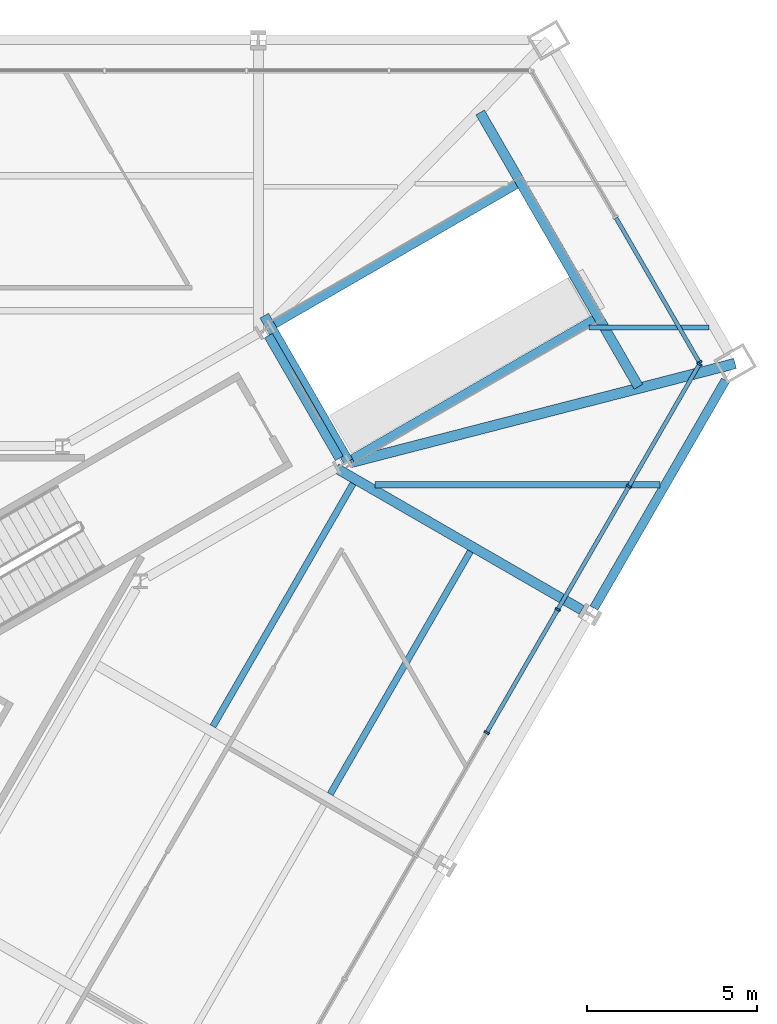
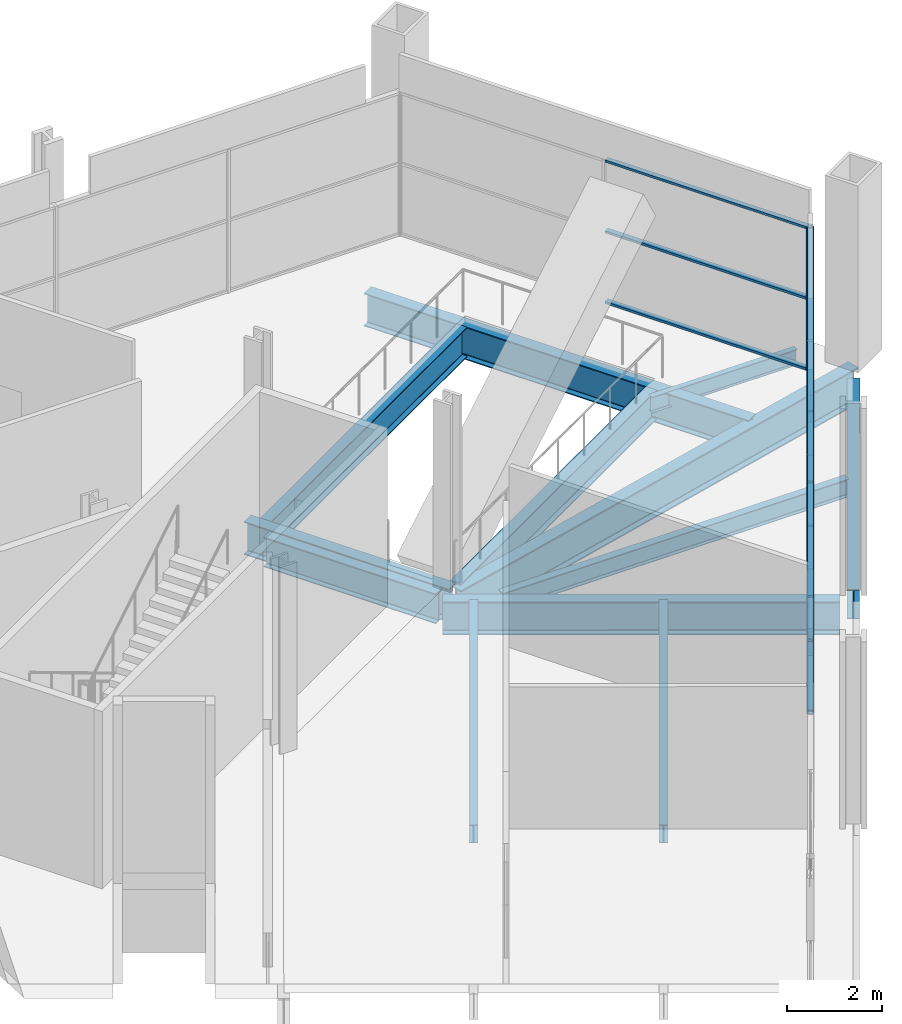
# One storey, part 9 of 18: 17 members, 12 beams, 2 elements without a shape of their own.
"""IFC4 building model written with IfcOpenShell, lengths in metres."""

from ifc_helpers import new_model, si_unit, direction, frame, origin, origin_2d, place, context, subcontext, project, spatial, rectangle, i_section, extrude, material, layer, layer_set, material_profile, profile_set, type_object, element, aggregate, save


model = new_model("IFC4")

# Units and contexts
model_context = context("Model", 3, precision=1e-05, world=origin(), true_north=direction((0.0, 1.0)))
body_context = subcontext(model_context, "Body", "Model", "MODEL_VIEW")
ifc_project = project(units=[si_unit("LENGTHUNIT", "METRE"), si_unit("AREAUNIT", "SQUARE_METRE"), si_unit("VOLUMEUNIT", "CUBIC_METRE"), si_unit("PLANEANGLEUNIT", "RADIAN"), si_unit("MASSUNIT", "GRAM", prefix="KILO")], contexts=[model_context])

# Site, building, storey
site_placement = place(None, origin())
site = spatial("IfcSite", under=ifc_project, at=site_placement, CompositionType="ELEMENT")
building_placement = place(site_placement, origin())
building = spatial("IfcBuilding", under=site, at=building_placement, Name="Verrane Prism Tower", CompositionType="ELEMENT")
storey_placement = place(building_placement, frame((0.0, 0.0, 22.39990234375)))
storey = spatial("IfcBuildingStorey", under=building, at=storey_placement, Name="L03", CompositionType="ELEMENT", Elevation=22.39990234375)

# Curtain wall, member
ifc_material_1 = material(Name="Aluminium and glass curtain wall", Category="aluminium")
ifc_layer = layer(ifc_material_1, 0.199951171875)
ifc_layer_set = layer_set([ifc_layer], Name="CWB-1 retail curtain wall")
curtain_wall_type = type_object("IfcCurtainWallType", Name="CWB-1 retail curtain wall", PredefinedType="NOTDEFINED", material=ifc_layer_set)
curtain_wall_1_placement = place(storey_placement, origin())
curtain_wall_1 = element("IfcCurtainWall", 1, at=curtain_wall_1_placement, inside=storey, type_object=curtain_wall_type, Name="Retail curtain wall L03 1", PredefinedType="NOTDEFINED")
ifc_material_2 = material(Name="Aluminium", Category="aluminium")
ifc_material_profile_1 = material_profile(ifc_material_2, rectangle(XDim=0.159912109375, YDim=0.06005859375, at=origin_2d()), Name="CWB-M 60x160 mullion")
ifc_profile_set_1 = profile_set([ifc_material_profile_1], Name="Aluminium")
member_type_1 = type_object("IfcMemberType", Name="CWB-M 60x160 mullion", PredefinedType="MULLION", material=ifc_profile_set_1)
member_1_placement = place(storey_placement, frame((30.11328125, 11.669677734375, 0.0), z_axis=(0.0, 0.0, 1.0), x_axis=(-0.866025871, -0.499999190758, 0.0)))
member_1 = element("IfcMember", 2, at=member_1_placement, type_object=member_type_1, Name="CWB31 mullion 1", PredefinedType="MULLION", context=body_context, shape_type="SweptSolid", body=[
    extrude(rectangle(XDim=0.159912109375, YDim=0.06005859375, at=origin_2d()), origin(), (0.0, 0.0, 1.0), 3.690185546875),
])

# Curtain wall, members
curtain_wall_2_placement = place(storey_placement, origin())
curtain_wall_2 = element("IfcCurtainWall", 3, at=curtain_wall_2_placement, inside=storey, type_object=curtain_wall_type, Name="Retail curtain wall L03 6", PredefinedType="NOTDEFINED")
member_2_placement = place(storey_placement, frame((23.84130859375, 0.75439453125, 0.0), z_axis=(0.0, 0.0, 1.0), x_axis=(-0.866025335097, 0.50000011897, 0.0)))
member_2 = element("IfcMember", 4, at=member_2_placement, type_object=member_type_1, Name="CWB36 mullion 10", PredefinedType="MULLION", context=body_context, shape_type="SweptSolid", body=[
    extrude(rectangle(XDim=0.159912109375, YDim=0.06005859375, at=origin_2d()), origin(), (0.0, 0.0, 1.0), 3.690185546875),
])
member_3_placement = place(storey_placement, frame((25.93701171875, 4.384033203125, 0.0), z_axis=(0.0, 0.0, 1.0), x_axis=(-0.866025335097, 0.50000011897, 0.0)))
member_3 = element("IfcMember", 5, at=member_3_placement, type_object=member_type_1, Name="CWB36 mullion 11", PredefinedType="MULLION", context=body_context, shape_type="SweptSolid", body=[
    extrude(rectangle(XDim=0.159912109375, YDim=0.06005859375, at=origin_2d()), origin(), (0.0, 0.0, 1.0), 3.690185546875),
])
member_4_placement = place(storey_placement, frame((28.03271484375, 8.013916015625, 0.0), z_axis=(0.0, 0.0, 1.0), x_axis=(-0.866025335097, 0.50000011897, 0.0)))
member_4 = element("IfcMember", 6, at=member_4_placement, type_object=member_type_1, Name="CWB36 mullion 12", PredefinedType="MULLION", context=body_context, shape_type="SweptSolid", body=[
    extrude(rectangle(XDim=0.159912109375, YDim=0.06005859375, at=origin_2d()), origin(), (0.0, 0.0, 1.0), 3.690185546875),
])
member_5_placement = place(storey_placement, frame((30.11328125, 11.61767578125, 0.0), z_axis=(0.0, 0.0, 1.0), x_axis=(-0.866025335097, 0.50000011897, 0.0)))
member_5 = element("IfcMember", 7, at=member_5_placement, type_object=member_type_1, Name="CWB36 mullion 13", PredefinedType="MULLION", context=body_context, shape_type="SweptSolid", body=[
    extrude(rectangle(XDim=0.159912109375, YDim=0.06005859375, at=origin_2d()), origin(), (0.0, 0.0, 1.0), 3.690185546875),
])

# Member
ifc_material_3 = material(Name="Aluminium", Category="aluminium")
ifc_material_profile_2 = material_profile(ifc_material_3, rectangle(XDim=0.1201171875, YDim=0.06005859375, at=origin_2d()), Name="CWB-T 60x120 transom")
ifc_profile_set_2 = profile_set([ifc_material_profile_2], Name="Aluminium")
member_type_2 = type_object("IfcMemberType", Name="CWB-T 60x120 transom", PredefinedType="USERDEFINED", material=ifc_profile_set_2)
member_6_placement = place(storey_placement, frame((30.098388671875, 11.695556640625, 0.030029296875), z_axis=(-0.500004774777, 0.866022647048, 0.0), x_axis=(-0.866022647048, -0.500004774777, 0.0)))
member_6 = element("IfcMember", 8, at=member_6_placement, type_object=member_type_2, Name="CWB31 transom 1.1", ObjectType="TRANSOM", PredefinedType="USERDEFINED", context=body_context, shape_type="SweptSolid", body=[
    extrude(rectangle(XDim=0.1201171875, YDim=0.06005859375, at=origin_2d()), origin(), (0.0, 0.0, 1.0), 4.890625),
])

member_7_placement = place(storey_placement, frame((30.098388671875, 11.695556640625, 1.84521484375), z_axis=(-0.500004774777, 0.866022647048, 0.0), x_axis=(-0.866022647048, -0.500004774777, 0.0)))
member_7 = element("IfcMember", 9, at=member_7_placement, type_object=member_type_2, Name="CWB31 transom 1.2", ObjectType="TRANSOM", PredefinedType="USERDEFINED", context=body_context, shape_type="SweptSolid", body=[
    extrude(rectangle(XDim=0.1201171875, YDim=0.06005859375, at=origin_2d()), origin(), (0.0, 0.0, 1.0), 4.890625),
])

member_8_placement = place(storey_placement, frame((30.098388671875, 11.695556640625, 3.66015625), z_axis=(-0.500004774777, 0.866022647048, 0.0), x_axis=(-0.866022647048, -0.500004774777, 0.0)))
member_8 = element("IfcMember", 10, at=member_8_placement, type_object=member_type_2, Name="CWB31 transom 1.3", ObjectType="TRANSOM", PredefinedType="USERDEFINED", context=body_context, shape_type="SweptSolid", body=[
    extrude(rectangle(XDim=0.1201171875, YDim=0.06005859375, at=origin_2d()), origin(), (0.0, 0.0, 1.0), 4.890625),
])

aggregate(curtain_wall_1, [member_1, member_6, member_7, member_8])

member_9_placement = place(storey_placement, frame((23.856201171875, 0.7802734375, 0.030029296875), z_axis=(0.499996977546, 0.866027148792, 0.0), x_axis=(-0.866027148792, 0.499996977546, 0.0)))
member_9 = element("IfcMember", 11, at=member_9_placement, type_object=member_type_2, Name="CWB36 transom 10.1", ObjectType="TRANSOM", PredefinedType="USERDEFINED", context=body_context, shape_type="SweptSolid", body=[
    extrude(rectangle(XDim=0.1201171875, YDim=0.06005859375, at=origin_2d()), origin(), (0.0, 0.0, 1.0), 4.13134765625),
])

member_10_placement = place(storey_placement, frame((23.856201171875, 0.7802734375, 1.84521484375), z_axis=(0.499996977546, 0.866027148792, 0.0), x_axis=(-0.866027148792, 0.499996977546, 0.0)))
member_10 = element("IfcMember", 12, at=member_10_placement, type_object=member_type_2, Name="CWB36 transom 10.2", ObjectType="TRANSOM", PredefinedType="USERDEFINED", context=body_context, shape_type="SweptSolid", body=[
    extrude(rectangle(XDim=0.1201171875, YDim=0.06005859375, at=origin_2d()), origin(), (0.0, 0.0, 1.0), 4.13134765625),
])

member_11_placement = place(storey_placement, frame((23.856201171875, 0.7802734375, 3.66015625), z_axis=(0.499996977546, 0.866027148792, 0.0), x_axis=(-0.866027148792, 0.499996977546, 0.0)))
member_11 = element("IfcMember", 13, at=member_11_placement, type_object=member_type_2, Name="CWB36 transom 10.3", ObjectType="TRANSOM", PredefinedType="USERDEFINED", context=body_context, shape_type="SweptSolid", body=[
    extrude(rectangle(XDim=0.1201171875, YDim=0.06005859375, at=origin_2d()), origin(), (0.0, 0.0, 1.0), 4.13134765625),
])

member_12_placement = place(storey_placement, frame((25.951904296875, 4.41015625, 0.030029296875), z_axis=(0.499996977546, 0.866027148792, 0.0), x_axis=(-0.866027148792, 0.499996977546, 0.0)))
member_12 = element("IfcMember", 14, at=member_12_placement, type_object=member_type_2, Name="CWB36 transom 11.1", ObjectType="TRANSOM", PredefinedType="USERDEFINED", context=body_context, shape_type="SweptSolid", body=[
    extrude(rectangle(XDim=0.1201171875, YDim=0.06005859375, at=origin_2d()), origin(), (0.0, 0.0, 1.0), 4.13134765625),
])

member_13_placement = place(storey_placement, frame((25.951904296875, 4.41015625, 1.84521484375), z_axis=(0.499996977546, 0.866027148792, 0.0), x_axis=(-0.866027148792, 0.499996977546, 0.0)))
member_13 = element("IfcMember", 15, at=member_13_placement, type_object=member_type_2, Name="CWB36 transom 11.2", ObjectType="TRANSOM", PredefinedType="USERDEFINED", context=body_context, shape_type="SweptSolid", body=[
    extrude(rectangle(XDim=0.1201171875, YDim=0.06005859375, at=origin_2d()), origin(), (0.0, 0.0, 1.0), 4.13134765625),
])

member_14_placement = place(storey_placement, frame((25.951904296875, 4.41015625, 3.66015625), z_axis=(0.499996977546, 0.866027148792, 0.0), x_axis=(-0.866027148792, 0.499996977546, 0.0)))
member_14 = element("IfcMember", 16, at=member_14_placement, type_object=member_type_2, Name="CWB36 transom 11.3", ObjectType="TRANSOM", PredefinedType="USERDEFINED", context=body_context, shape_type="SweptSolid", body=[
    extrude(rectangle(XDim=0.1201171875, YDim=0.06005859375, at=origin_2d()), origin(), (0.0, 0.0, 1.0), 4.13134765625),
])

member_15_placement = place(storey_placement, frame((28.047607421875, 8.039794921875, 0.030029296875), z_axis=(0.500005845305, 0.86602202897, 0.0), x_axis=(-0.86602202897, 0.500005845305, 0.0)))
member_15 = element("IfcMember", 17, at=member_15_placement, type_object=member_type_2, Name="CWB36 transom 12.1", ObjectType="TRANSOM", PredefinedType="USERDEFINED", context=body_context, shape_type="SweptSolid", body=[
    extrude(rectangle(XDim=0.1201171875, YDim=0.06005859375, at=origin_2d()), origin(), (0.0, 0.0, 1.0), 4.1015625),
])

member_16_placement = place(storey_placement, frame((28.047607421875, 8.039794921875, 1.84521484375), z_axis=(0.500005845305, 0.86602202897, 0.0), x_axis=(-0.86602202897, 0.500005845305, 0.0)))
member_16 = element("IfcMember", 18, at=member_16_placement, type_object=member_type_2, Name="CWB36 transom 12.2", ObjectType="TRANSOM", PredefinedType="USERDEFINED", context=body_context, shape_type="SweptSolid", body=[
    extrude(rectangle(XDim=0.1201171875, YDim=0.06005859375, at=origin_2d()), origin(), (0.0, 0.0, 1.0), 4.1015625),
])

member_17_placement = place(storey_placement, frame((28.047607421875, 8.039794921875, 3.66015625), z_axis=(0.500005845305, 0.86602202897, 0.0), x_axis=(-0.86602202897, 0.500005845305, 0.0)))
member_17 = element("IfcMember", 19, at=member_17_placement, type_object=member_type_2, Name="CWB36 transom 12.3", ObjectType="TRANSOM", PredefinedType="USERDEFINED", context=body_context, shape_type="SweptSolid", body=[
    extrude(rectangle(XDim=0.1201171875, YDim=0.06005859375, at=origin_2d()), origin(), (0.0, 0.0, 1.0), 4.1015625),
])

aggregate(curtain_wall_2, [member_2, member_3, member_4, member_5, member_9, member_10, member_11, member_12, member_13, member_14, member_15, member_16, member_17])

# Beams
ifc_material_4 = material(Name="Steel A992", Category="steel")
ifc_material_profile_3 = material_profile(ifc_material_4, i_section(OverallWidth=0.2666015625, OverallDepth=0.76708984375, WebThickness=0.014892578125, FlangeThickness=0.023681640625, FilletRadius=0.0166015625, at=origin_2d()), Name="W30x124")
ifc_profile_set_3 = profile_set([ifc_material_profile_3], Name="Steel A992")
beam_type_1 = type_object("IfcBeamType", Name="Core ring girder W30x124", PredefinedType="BEAM", material=ifc_profile_set_3)
beam_1_placement = place(storey_placement, frame((19.493896484375, 8.843505859375, -0.63330078125), z_axis=(-0.500367275473, 0.865813253326, 0.0), x_axis=(-0.865813253326, -0.500367275473, 0.0)))
element("IfcBeam", 20, at=beam_1_placement, inside=storey, type_object=beam_type_1, Name="Core ring girder L03", PredefinedType="BEAM", context=body_context, shape_type="SweptSolid", body=[
    extrude(i_section(OverallWidth=0.2666015625, OverallDepth=0.76708984375, WebThickness=0.014892578125, FlangeThickness=0.023681640625, FilletRadius=0.0166015625, at=origin_2d()), origin(), (0.0, 0.0, 1.0), 4.172607421875),
])
ifc_material_5 = material(Name="Steel A992", Category="steel")
ifc_material_profile_4 = material_profile(ifc_material_5, i_section(OverallWidth=0.307373046875, OverallDepth=0.927001953125, WebThickness=0.01953125, FlangeThickness=0.031982421875, FilletRadius=0.01904296875, at=origin_2d()), Name="W36x194")
ifc_profile_set_4 = profile_set([ifc_material_profile_4], Name="Steel A992")
beam_type_2 = type_object("IfcBeamType", Name="Corner girder W36x194", PredefinedType="BEAM", material=ifc_profile_set_4)
beam_2_placement = place(storey_placement, frame((31.16455078125, 11.638671875, -0.68359375), z_axis=(-0.968392733058, -0.249430380188, 0.0), x_axis=(0.249430380188, -0.968392733058, 0.0)))
element("IfcBeam", 21, at=beam_2_placement, inside=storey, type_object=beam_type_2, Name="Corner girder L03", PredefinedType="BEAM", context=body_context, shape_type="SweptSolid", body=[
    extrude(i_section(OverallWidth=0.307373046875, OverallDepth=0.927001953125, WebThickness=0.01953125, FlangeThickness=0.031982421875, FilletRadius=0.01904296875, at=origin_2d()), origin(), (0.0, 0.0, 1.0), 11.695556640625),
])
ifc_material_6 = material(Name="Steel A992", Category="steel")
ifc_material_profile_5 = material_profile(ifc_material_6, i_section(OverallWidth=0.140380859375, OverallDepth=0.40380859375, WebThickness=0.007080078125, FlangeThickness=0.01123046875, FilletRadius=0.01025390625, at=origin_2d()), Name="W16x31")
ifc_profile_set_5 = profile_set([ifc_material_profile_5], Name="Steel A992")
beam_type_3 = type_object("IfcBeamType", Name="Floor beam W16x31", PredefinedType="BEAM", material=ifc_profile_set_5)
beam_3_placement = place(storey_placement, frame((26.860595703125, 12.699951171875, -0.36181640625), z_axis=(1.0, 0.0, 0.0), x_axis=(0.0, 1.0, 0.0)))
element("IfcBeam", 22, at=beam_3_placement, inside=storey, type_object=beam_type_3, Name="Floor beam L03", PredefinedType="BEAM", context=body_context, shape_type="SweptSolid", body=[
    extrude(i_section(OverallWidth=0.140380859375, OverallDepth=0.40380859375, WebThickness=0.007080078125, FlangeThickness=0.01123046875, FilletRadius=0.01025390625, at=origin_2d()), origin(), (0.0, 0.0, 1.0), 3.529052734375),
])
ifc_material_7 = material(Name="Steel A992", Category="steel")
ifc_material_profile_6 = material_profile(ifc_material_7, i_section(OverallWidth=0.1904296875, OverallDepth=0.457275390625, WebThickness=0.009033203125, FlangeThickness=0.014404296875, FilletRadius=0.01025390625, at=origin_2d()), Name="W18x50")
ifc_profile_set_6 = profile_set([ifc_material_profile_6], Name="Steel A992")
beam_type_4 = type_object("IfcBeamType", Name="Floor beam W18x50", PredefinedType="BEAM", material=ifc_profile_set_6)
beam_4_placement = place(storey_placement, frame((19.226806640625, -1.05712890625, -0.388427734375), z_axis=(0.500005423512, 0.866022272496, 0.0), x_axis=(-0.866022272496, 0.500005423512, 0.0)))
element("IfcBeam", 23, at=beam_4_placement, inside=storey, type_object=beam_type_4, Name="Floor beam L03", PredefinedType="BEAM", context=body_context, shape_type="SweptSolid", body=[
    extrude(i_section(OverallWidth=0.1904296875, OverallDepth=0.457275390625, WebThickness=0.009033203125, FlangeThickness=0.014404296875, FilletRadius=0.01025390625, at=origin_2d()), origin(), (0.0, 0.0, 1.0), 8.26513671875),
])
beam_5_placement = place(storey_placement, frame((15.769287109375, 0.93994140625, -0.388427734375), z_axis=(0.500018214608, 0.86601488732, 0.0), x_axis=(-0.86601488732, 0.500018214608, 0.0)))
element("IfcBeam", 24, at=beam_5_placement, inside=storey, type_object=beam_type_4, Name="Floor beam L03", PredefinedType="BEAM", context=body_context, shape_type="SweptSolid", body=[
    extrude(i_section(OverallWidth=0.1904296875, OverallDepth=0.457275390625, WebThickness=0.009033203125, FlangeThickness=0.014404296875, FilletRadius=0.01025390625, at=origin_2d()), origin(), (0.0, 0.0, 1.0), 8.264892578125),
])
beam_6_placement = place(storey_placement, frame((20.541748046875, 8.06494140625, -0.388427734375), z_axis=(1.0, 0.0, 0.0), x_axis=(0.0, 1.0, 0.0)))
element("IfcBeam", 25, at=beam_6_placement, inside=storey, type_object=beam_type_4, Name="Floor beam L03", PredefinedType="BEAM", context=body_context, shape_type="SweptSolid", body=[
    extrude(i_section(OverallWidth=0.1904296875, OverallDepth=0.457275390625, WebThickness=0.009033203125, FlangeThickness=0.014404296875, FilletRadius=0.01025390625, at=origin_2d()), origin(), (0.0, 0.0, 1.0), 8.4091796875),
])
ifc_material_8 = material(Name="Steel A992", Category="steel")
ifc_material_profile_7 = material_profile(ifc_material_8, i_section(OverallWidth=0.2919921875, OverallDepth=0.845703125, WebThickness=0.015380859375, FlangeThickness=0.0244140625, FilletRadius=0.017822265625, at=origin_2d()), Name="W33x141")
ifc_profile_set_7 = profile_set([ifc_material_profile_7], Name="Steel A992")
beam_type_5 = type_object("IfcBeamType", Name="Radial girder W33x141", PredefinedType="BEAM", material=ifc_profile_set_7)
beam_7_placement = place(storey_placement, frame((26.6435546875, 4.372314453125, -0.642822265625), z_axis=(-0.866029865125, 0.499992272651, 0.0), x_axis=(-0.499992272651, -0.866029865125, 0.0)))
element("IfcBeam", 26, at=beam_7_placement, inside=storey, type_object=beam_type_5, Name="Radial girder L03", PredefinedType="BEAM", context=body_context, shape_type="SweptSolid", body=[
    extrude(i_section(OverallWidth=0.2919921875, OverallDepth=0.845703125, WebThickness=0.015380859375, FlangeThickness=0.0244140625, FilletRadius=0.017822265625, at=origin_2d()), origin(), (0.0, 0.0, 1.0), 8.354736328125),
])
ifc_material_9 = material(Name="Steel A992", Category="steel")
ifc_material_profile_8 = material_profile(ifc_material_9, i_section(OverallWidth=0.2666015625, OverallDepth=0.76708984375, WebThickness=0.014892578125, FlangeThickness=0.023681640625, FilletRadius=0.0166015625, at=origin_2d()), Name="W30x124")
ifc_profile_set_8 = profile_set([ifc_material_profile_8], Name="Steel A992")
beam_type_6 = type_object("IfcBeamType", Name="Slab edge girder W30x124", PredefinedType="BEAM", material=ifc_profile_set_8)
beam_8_placement = place(storey_placement, frame((19.882080078125, 8.822998046875, -0.54345703125), z_axis=(0.86602750728, 0.499996356621, 0.0), x_axis=(-0.499996356621, 0.86602750728, 0.0)))
element("IfcBeam", 27, at=beam_8_placement, inside=storey, type_object=beam_type_6, Name="Slab edge girder L03", PredefinedType="BEAM", context=body_context, shape_type="SweptSolid", body=[
    extrude(i_section(OverallWidth=0.2666015625, OverallDepth=0.76708984375, WebThickness=0.014892578125, FlangeThickness=0.023681640625, FilletRadius=0.0166015625, at=origin_2d()), origin(), (0.0, 0.0, 1.0), 8.22998046875),
])
beam_9_placement = place(storey_placement, frame((24.709716796875, 16.921875, -0.54345703125), z_axis=(-0.866034923029, -0.499983511822, 0.0), x_axis=(0.499983511822, -0.866034923029, 0.0)))
element("IfcBeam", 28, at=beam_9_placement, inside=storey, type_object=beam_type_6, Name="Slab edge girder L03", PredefinedType="BEAM", context=body_context, shape_type="SweptSolid", body=[
    extrude(i_section(OverallWidth=0.2666015625, OverallDepth=0.76708984375, WebThickness=0.014892578125, FlangeThickness=0.023681640625, FilletRadius=0.0166015625, at=origin_2d()), origin(), (0.0, 0.0, 1.0), 8.230224609375),
])
ifc_material_10 = material(Name="Steel A992", Category="steel")
ifc_material_profile_9 = material_profile(ifc_material_10, i_section(OverallWidth=0.2919921875, OverallDepth=0.845703125, WebThickness=0.015380859375, FlangeThickness=0.0244140625, FilletRadius=0.017822265625, at=origin_2d()), Name="W33x141")
ifc_profile_set_9 = profile_set([ifc_material_profile_9], Name="Steel A992")
beam_type_7 = type_object("IfcBeamType", Name="Slab edge girder W33x141", PredefinedType="BEAM", material=ifc_profile_set_9)
beam_10_placement = place(storey_placement, frame((28.31640625, 10.95458984375, -0.582763671875), z_axis=(-0.500003119808, 0.866023602555, 0.0), x_axis=(-0.866023602555, -0.500003119808, 0.0)))
element("IfcBeam", 29, at=beam_10_placement, inside=storey, type_object=beam_type_7, Name="Slab edge girder L03", PredefinedType="BEAM", context=body_context, shape_type="SweptSolid", body=[
    extrude(i_section(OverallWidth=0.2919921875, OverallDepth=0.845703125, WebThickness=0.015380859375, FlangeThickness=0.0244140625, FilletRadius=0.017822265625, at=origin_2d()), origin(), (0.0, 0.0, 1.0), 9.3369140625),
])
beam_11_placement = place(storey_placement, frame((17.281005859375, 13.048583984375, -0.582763671875), z_axis=(0.500002137087, -0.866024169933, 0.0), x_axis=(0.866024169933, 0.500002137087, 0.0)))
element("IfcBeam", 30, at=beam_11_placement, inside=storey, type_object=beam_type_7, Name="Slab edge girder L03", PredefinedType="BEAM", context=body_context, shape_type="SweptSolid", body=[
    extrude(i_section(OverallWidth=0.2919921875, OverallDepth=0.845703125, WebThickness=0.015380859375, FlangeThickness=0.0244140625, FilletRadius=0.017822265625, at=origin_2d()), origin(), (0.0, 0.0, 1.0), 4.9619140625),
])
ifc_material_11 = material(Name="Steel A992", Category="steel")
ifc_material_profile_10 = material_profile(ifc_material_11, i_section(OverallWidth=0.2666015625, OverallDepth=0.76708984375, WebThickness=0.014892578125, FlangeThickness=0.023681640625, FilletRadius=0.0166015625, at=origin_2d()), Name="W30x124")
ifc_profile_set_10 = profile_set([ifc_material_profile_10], Name="Steel A992")
beam_type_8 = type_object("IfcBeamType", Name="Spandrel beam W30x124", PredefinedType="SPANDREL", material=ifc_profile_set_10)
beam_12_placement = place(storey_placement, frame((27.003662109375, 4.427001953125, -0.54345703125), z_axis=(0.500179482495, 0.865921754716, 0.0), x_axis=(-0.865921754716, 0.500179482495, 0.0)))
element("IfcBeam", 31, at=beam_12_placement, inside=storey, type_object=beam_type_8, Name="Spandrel beam L03", PredefinedType="SPANDREL", context=body_context, shape_type="SweptSolid", body=[
    extrude(i_section(OverallWidth=0.2666015625, OverallDepth=0.76708984375, WebThickness=0.014892578125, FlangeThickness=0.023681640625, FilletRadius=0.0166015625, at=origin_2d()), origin(), (0.0, 0.0, 1.0), 7.752685546875),
])

save(model, "model.ifc")
